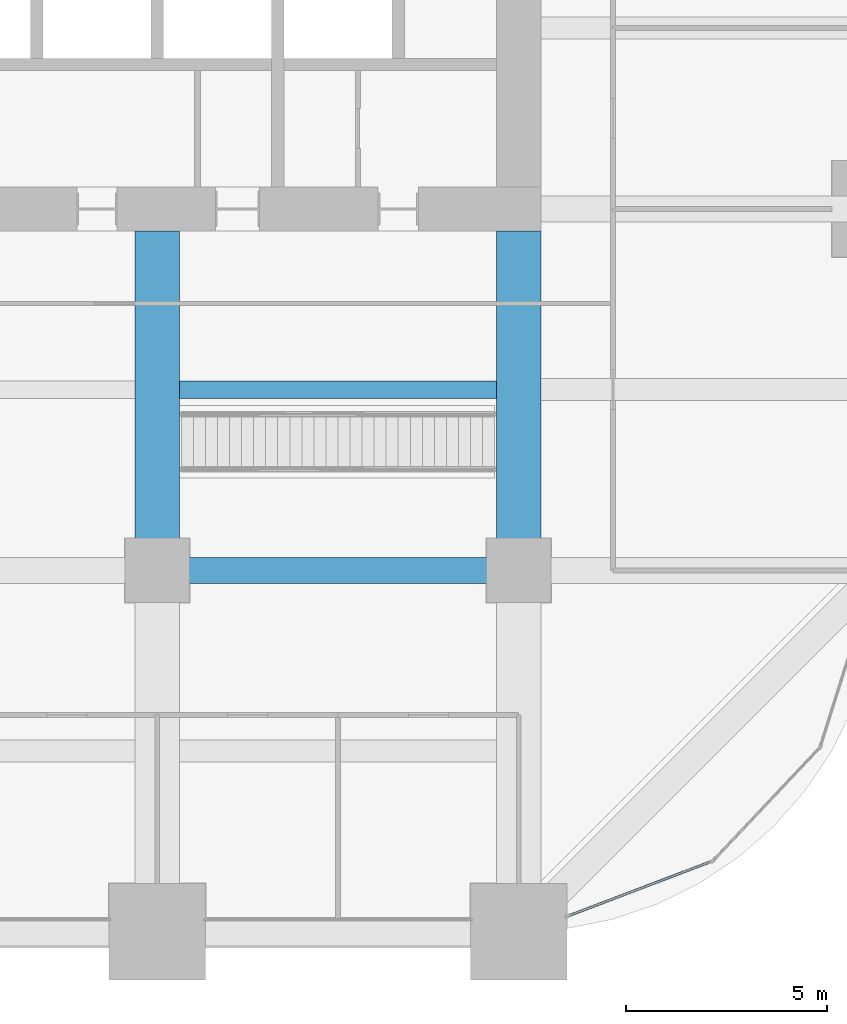
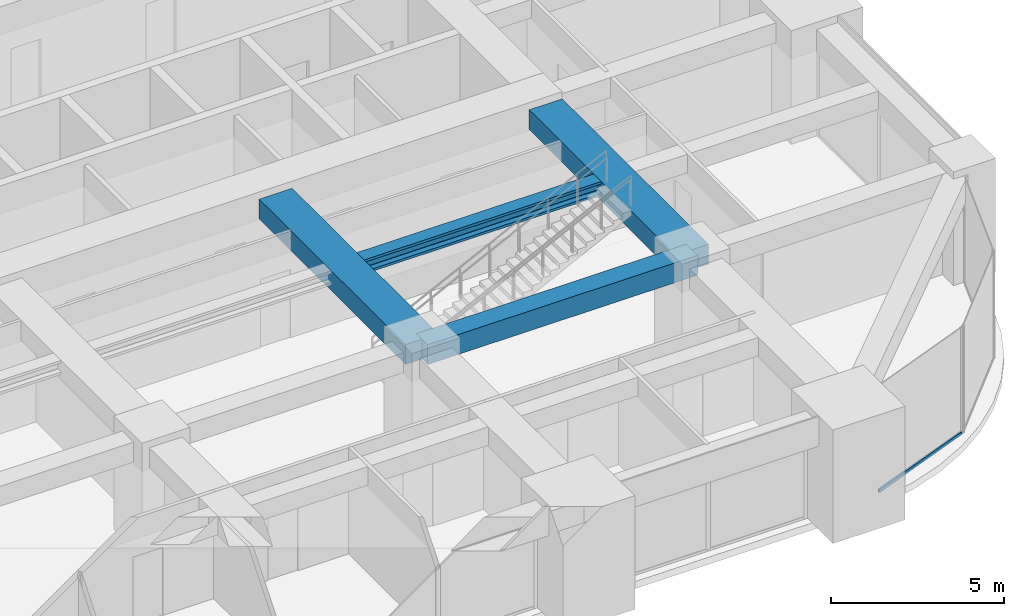
# One storey, part 15 of 34: 4 beams, 1 member, 1 element without a shape of its own.
"""IFC4 building model written with IfcOpenShell, lengths in metres."""

from ifc_helpers import new_model, si_unit, direction, frame, origin, origin_2d, place, context, subcontext, project, spatial, rectangle, hollow_rectangle, i_section, extrude, material, material_profile, profile_set, type_object, element, aggregate, save


model = new_model("IFC4")

# Units and contexts
model_context = context("Model", 3, precision=1e-05, world=origin(), true_north=direction((0.0, 1.0)))
body_context = subcontext(model_context, "Body", "Model", "MODEL_VIEW")
ifc_project = project(units=[si_unit("LENGTHUNIT", "METRE"), si_unit("AREAUNIT", "SQUARE_METRE"), si_unit("VOLUMEUNIT", "CUBIC_METRE"), si_unit("PLANEANGLEUNIT", "RADIAN"), si_unit("MASSUNIT", "GRAM", prefix="KILO")], contexts=[model_context])

# Site, building, storey
site_placement = place(None, origin())
site = spatial("IfcSite", under=ifc_project, at=site_placement, CompositionType="ELEMENT")
building_placement = place(site_placement, origin())
building = spatial("IfcBuilding", under=site, at=building_placement, Name="Zorevar Civic Tower", CompositionType="ELEMENT")
storey_placement = place(building_placement, frame((0.0, 0.0, 174.199951171875)))
storey = spatial("IfcBuildingStorey", under=building, at=storey_placement, Name="L42", CompositionType="ELEMENT", Elevation=174.199951171875)

# Beams
ifc_material_1 = material(Name="Concrete C50/60", Category="concrete")
ifc_material_profile_1 = material_profile(ifc_material_1, rectangle(XDim=1.10009765625, YDim=0.699951171875, at=origin_2d()), Name="RC 1100x700")
ifc_profile_set_1 = profile_set([ifc_material_profile_1], Name="Concrete C50/60")
beam_type_1 = type_object("IfcBeamType", Name="Beam RC 1100x700", PredefinedType="BEAM", material=ifc_profile_set_1)
for number, where, z_axis, x_axis, name in (
    (1, (36.0, 9.0, 3.400146484375), (0.0, 1.0, 0.0), (-1.0, 0.0, 0.0), "Girder L43"),
    (2, (45.0, 9.0, 3.400146484375), (0.0, 1.0, 0.0), (-1.0, 0.0, 0.0), "Girder L43"),
):
    element("IfcBeam", number, at=place(storey_placement, frame(where, z_axis=z_axis, x_axis=x_axis)), inside=storey, type_object=beam_type_1, Name=name, PredefinedType="BEAM", context=body_context, shape_type="SweptSolid", body=[
        extrude(rectangle(XDim=1.10009765625, YDim=0.699951171875, at=origin_2d()), origin(), (0.0, 0.0, 1.0), 8.449951171875),
    ])
ifc_material_2 = material(Name="Concrete C50/60", Category="concrete")
ifc_material_profile_2 = material_profile(ifc_material_2, rectangle(XDim=0.64990234375, YDim=0.699951171875, at=origin_2d()), Name="RC 650x700")
ifc_profile_set_2 = profile_set([ifc_material_profile_2], Name="Concrete C50/60")
beam_type_2 = type_object("IfcBeamType", Name="Beam RC 650x700", PredefinedType="BEAM", material=ifc_profile_set_2)
beam_1_placement = place(storey_placement, frame((36.0, 9.0, 3.400146484375), z_axis=(1.0, 0.0, 0.0), x_axis=(0.0, 1.0, 0.0)))
element("IfcBeam", 3, at=beam_1_placement, inside=storey, type_object=beam_type_2, Name="Girder L43", PredefinedType="BEAM", context=body_context, shape_type="SweptSolid", body=[
    extrude(rectangle(XDim=0.64990234375, YDim=0.699951171875, at=origin_2d()), origin(), (0.0, 0.0, 1.0), 9.0),
])

# Curtain wall, member
ifc_material_3 = material(Name="Dark grey solar-control glass in black aluminium frame", Category="aluminium")
curtain_wall_type = type_object("IfcCurtainWallType", Name="Curtain wall CW4 high zone", PredefinedType="NOTDEFINED", material=ifc_material_3)
curtain_wall_placement = place(storey_placement, origin())
curtain_wall = element("IfcCurtainWall", 4, at=curtain_wall_placement, inside=storey, type_object=curtain_wall_type, Name="CW4 L42", PredefinedType="NOTDEFINED")
ifc_material_4 = material(Name="Aluminium, black anodised", Category="aluminium")
ifc_material_profile_3 = material_profile(ifc_material_4, hollow_rectangle(XDim=0.06005859375, YDim=0.1201171875, WallThickness=0.0029296875, at=origin_2d()), Name="AL 120x60x3")
ifc_profile_set_3 = profile_set([ifc_material_profile_3], Name="Aluminium, black anodised")
member_type = type_object("IfcMemberType", Name="CW4 transom AL 120x60x3", PredefinedType="USERDEFINED", material=ifc_profile_set_3)
member_placement = place(storey_placement, frame((46.256103515625, 0.404541015625, 0.030029296875), z_axis=(0.934589335576, 0.355728511406, 0.0), x_axis=(-0.355728511406, 0.934589335576, 0.0)))
member = element("IfcMember", 5, at=member_placement, type_object=member_type, Name="CW4 sill transom", ObjectType="TRANSOM", PredefinedType="USERDEFINED", context=body_context, shape_type="SweptSolid", body=[
    extrude(hollow_rectangle(XDim=0.06005859375, YDim=0.1201171875, WallThickness=0.0029296875, at=origin_2d()), origin(), (0.0, 0.0, 1.0), 3.76708984375),
])
aggregate(curtain_wall, [member])

# Beam
ifc_material_5 = material(Name="Steel S460M (HISTAR 460)", Category="steel")
ifc_material_profile_4 = material_profile(ifc_material_5, i_section(OverallWidth=0.431884765625, OverallDepth=0.498046875, WebThickness=0.0556640625, FlangeThickness=0.0888671875, FilletRadius=0.014892578125, at=origin_2d()), Name="HD 400x744")
ifc_profile_set_4 = profile_set([ifc_material_profile_4], Name="Steel S460M (HISTAR 460)")
beam_type_3 = type_object("IfcBeamType", Name="Core bay beam HD 400x744", PredefinedType="BEAM", material=ifc_profile_set_4)
beam_2_placement = place(storey_placement, frame((36.550048828125, 13.5, 3.5009765625), z_axis=(1.0, 0.0, 0.0), x_axis=(0.0, 1.0, 0.0)))
element("IfcBeam", 6, at=beam_2_placement, inside=storey, type_object=beam_type_3, Name="Secondary beam L43", PredefinedType="BEAM", context=body_context, shape_type="SweptSolid", body=[
    extrude(i_section(OverallWidth=0.431884765625, OverallDepth=0.498046875, WebThickness=0.0556640625, FlangeThickness=0.0888671875, FilletRadius=0.014892578125, at=origin_2d()), origin(), (0.0, 0.0, 1.0), 7.89990234375),
])

save(model, "model.ifc")
